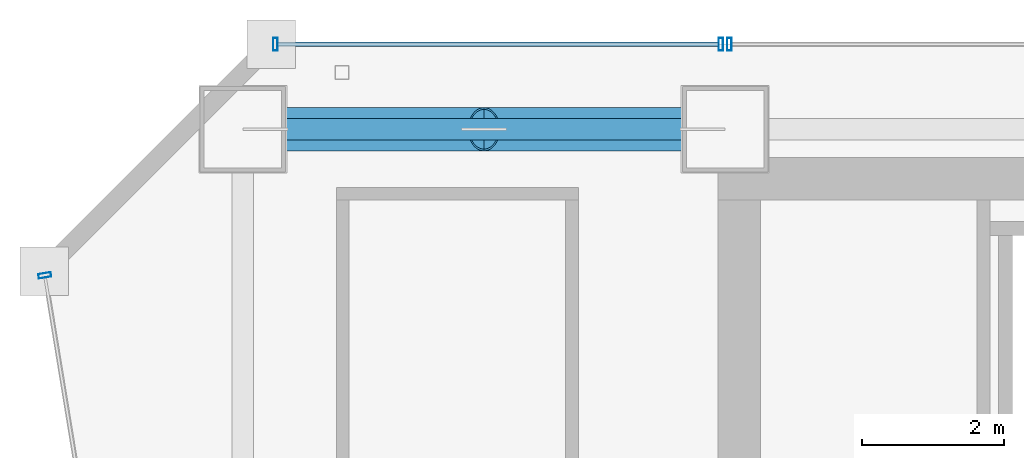
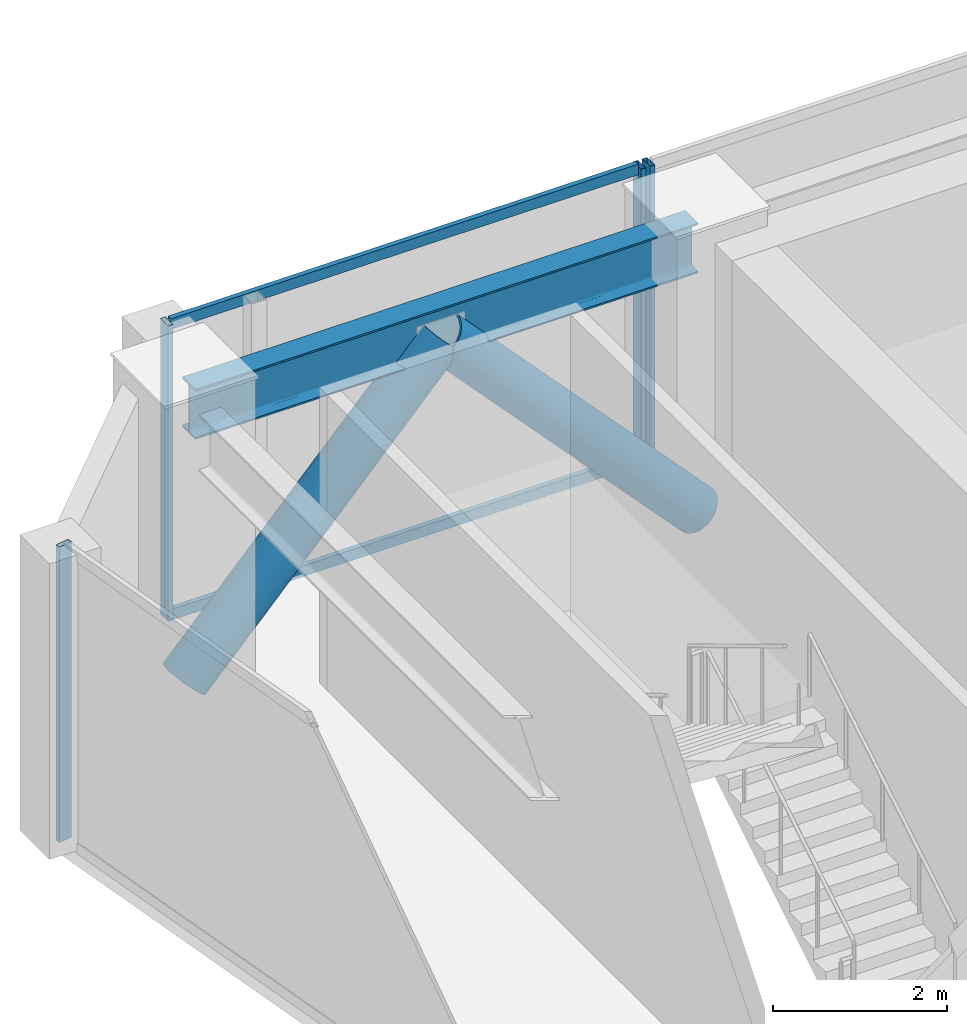
# One storey, part 26 of 40: 8 members, 1 beam, 3 elements without a shape of their own.
"""IFC4 building model written with IfcOpenShell, lengths in metres."""

from ifc_helpers import new_model, si_unit, direction, frame, origin, origin_2d, place, context, subcontext, project, spatial, hollow_rectangle, hollow_circle, i_section, extrude, material, material_profile, profile_set, type_object, element, aggregate, save


model = new_model("IFC4")

# Units and contexts
model_context = context("Model", 3, precision=1e-05, world=origin(), true_north=direction((0.0, 1.0)))
body_context = subcontext(model_context, "Body", "Model", "MODEL_VIEW")
ifc_project = project(units=[si_unit("LENGTHUNIT", "METRE"), si_unit("AREAUNIT", "SQUARE_METRE"), si_unit("VOLUMEUNIT", "CUBIC_METRE"), si_unit("PLANEANGLEUNIT", "RADIAN"), si_unit("MASSUNIT", "GRAM", prefix="KILO")], contexts=[model_context])

# Site, building, storey
site_placement = place(None, origin())
site = spatial("IfcSite", under=ifc_project, at=site_placement, CompositionType="ELEMENT")
building_placement = place(site_placement, origin())
building = spatial("IfcBuilding", under=site, at=building_placement, Name="Saevonmaru Cultural Tower", CompositionType="ELEMENT")
storey_placement = place(building_placement, frame((0.0, 0.0, 97.199951171875)))
storey = spatial("IfcBuildingStorey", under=building, at=storey_placement, Name="L20", CompositionType="ELEMENT", Elevation=97.199951171875)

# Beam
ifc_material_1 = material(Name="Steel SM355", Category="steel")
ifc_material_profile_1 = material_profile(ifc_material_1, i_section(OverallWidth=0.300048828125, OverallDepth=0.699951171875, WebThickness=0.012939453125, FlangeThickness=0.02392578125, FilletRadius=0.02587890625, at=origin_2d()), Name="H-700x300x13x24")
ifc_profile_set_1 = profile_set([ifc_material_profile_1], Name="Steel SM355")
beam_type = type_object("IfcBeamType", Name="BM-SP-H700", PredefinedType="SPANDREL", material=ifc_profile_set_1)
beam_placement = place(storey_placement, frame((6.860107421875, 54.800048828125, 3.800048828125), z_axis=(1.0, 0.0, 0.0), x_axis=(0.0, 1.0, 0.0)))
element("IfcBeam", 1, at=beam_placement, inside=storey, type_object=beam_type, Name="L20 North Spine Girder 1", PredefinedType="SPANDREL", context=body_context, shape_type="SweptSolid", body=[
    extrude(i_section(OverallWidth=0.300048828125, OverallDepth=0.699951171875, WebThickness=0.012939453125, FlangeThickness=0.02392578125, FilletRadius=0.02587890625, at=origin_2d()), origin(), (0.0, 0.0, 1.0), 6.679931640625),
])

# Members
ifc_material_2 = material(Name="Steel HSA600 (600 MPa)", Category="steel")
ifc_material_profile_2 = material_profile(ifc_material_2, hollow_circle(Radius=0.3046875, WallThickness=0.02490234375, at=origin_2d()), Name="CHS-609.6x25")
ifc_profile_set_2 = profile_set([ifc_material_profile_2], Name="Steel HSA600 (600 MPa)")
member_type_1 = type_object("IfcMemberType", Name="MB-PBR-CHS610", PredefinedType="BRACE", material=ifc_profile_set_2)
member_1_placement = place(storey_placement, frame((6.800048828125, 54.800048828125, 0.02001953125), z_axis=(0.681578526789, 0.0, 0.731744977311), x_axis=(0.0, 1.0, 0.0)))
element("IfcMember", 2, at=member_1_placement, inside=storey, type_object=member_type_1, Name="L20 Perimeter Braced-Tube Diagonal WN1", PredefinedType="BRACE", context=body_context, shape_type="SweptSolid", body=[
    extrude(hollow_circle(Radius=0.3046875, WallThickness=0.02490234375, at=origin_2d()), origin(), (0.0, 0.0, 1.0), 4.98828125),
])
member_2_placement = place(storey_placement, frame((13.60009765625, 54.800048828125, 0.02001953125), z_axis=(-0.681604731977, 0.0, 0.731720567803), x_axis=(0.0, -1.0, 0.0)))
element("IfcMember", 3, at=member_2_placement, inside=storey, type_object=member_type_1, Name="L20 Perimeter Braced-Tube Diagonal WN2", PredefinedType="BRACE", context=body_context, shape_type="SweptSolid", body=[
    extrude(hollow_circle(Radius=0.3046875, WallThickness=0.02490234375, at=origin_2d()), origin(), (0.0, 0.0, 1.0), 4.988525390625),
])

# Curtain wall, member
ifc_material_3 = material(Name="Satin Bronze Anodised Aluminium", Category="aluminium")
curtain_wall_type = type_object("IfcCurtainWallType", Name="CW-TYP-A", PredefinedType="NOTDEFINED", material=ifc_material_3)
curtain_wall_1_placement = place(storey_placement, origin())
curtain_wall_1 = element("IfcCurtainWall", 4, at=curtain_wall_1_placement, inside=storey, type_object=curtain_wall_type, Name="L20 North Spine Unitised Curtain Wall E10B", PredefinedType="NOTDEFINED")
ifc_material_profile_3 = material_profile(ifc_material_3, hollow_rectangle(XDim=0.06494140625, YDim=0.179931640625, WallThickness=0.00390625, at=origin_2d()), Name="ALU-MULL-180x65x4")
ifc_profile_set_3 = profile_set([ifc_material_profile_3], Name="Satin Bronze Anodised Aluminium")
member_type_2 = type_object("IfcMemberType", Name="ML-CW-180x65", PredefinedType="MULLION", material=ifc_profile_set_3)
member_3_placement = place(storey_placement, frame((13.659912109375, 56.0, 0.0), z_axis=(0.0, 0.0, 1.0), x_axis=(-1.0, 0.0, 0.0)))
member_3 = element("IfcMember", 5, at=member_3_placement, type_object=member_type_2, Name="CW-TW-L20-E10B mullion 4", PredefinedType="MULLION", context=body_context, shape_type="SweptSolid", body=[
    extrude(hollow_rectangle(XDim=0.06494140625, YDim=0.179931640625, WallThickness=0.00390625, at=origin_2d()), origin(), (0.0, 0.0, 1.0), 4.150146484375),
])
aggregate(curtain_wall_1, [member_3])

# Curtain wall, members
curtain_wall_2_placement = place(storey_placement, origin())
curtain_wall_2 = element("IfcCurtainWall", 6, at=curtain_wall_2_placement, inside=storey, type_object=curtain_wall_type, Name="L20 West Braced Bay Spandrel Curtain Wall E10C", PredefinedType="NOTDEFINED")
member_4_placement = place(storey_placement, frame((13.5400390625, 56.0, 0.0), z_axis=(0.0, 0.0, 1.0), x_axis=(-1.0, 0.0, 0.0)))
member_4 = element("IfcMember", 7, at=member_4_placement, type_object=member_type_2, Name="CW-TW-L20-E10C mullion 1", PredefinedType="MULLION", context=body_context, shape_type="SweptSolid", body=[
    extrude(hollow_rectangle(XDim=0.06494140625, YDim=0.179931640625, WallThickness=0.00390625, at=origin_2d()), origin(), (0.0, 0.0, 1.0), 4.150146484375),
])
member_5_placement = place(storey_placement, frame((7.260009765625, 56.0, 0.0), z_axis=(0.0, 0.0, 1.0), x_axis=(-1.0, 0.0, 0.0)))
member_5 = element("IfcMember", 8, at=member_5_placement, type_object=member_type_2, Name="CW-TW-L20-E10C mullion 2", PredefinedType="MULLION", context=body_context, shape_type="SweptSolid", body=[
    extrude(hollow_rectangle(XDim=0.06494140625, YDim=0.179931640625, WallThickness=0.00390625, at=origin_2d()), origin(), (0.0, 0.0, 1.0), 4.150146484375),
])

# Curtain wall, member
curtain_wall_3_placement = place(storey_placement, origin())
curtain_wall_3 = element("IfcCurtainWall", 9, at=curtain_wall_3_placement, inside=storey, type_object=curtain_wall_type, Name="L20 Unitised Curtain Wall E12", PredefinedType="NOTDEFINED")
member_6_placement = place(storey_placement, frame((4.009765625, 52.74072265625, 0.0), z_axis=(0.0, 0.0, 1.0), x_axis=(0.161708868641, -0.986838508472, 0.0)))
member_6 = element("IfcMember", 10, at=member_6_placement, type_object=member_type_2, Name="CW-TW-L20-E12 mullion 1", PredefinedType="MULLION", context=body_context, shape_type="SweptSolid", body=[
    extrude(hollow_rectangle(XDim=0.06494140625, YDim=0.179931640625, WallThickness=0.00390625, at=origin_2d()), origin(), (0.0, 0.0, 1.0), 4.150146484375),
])
aggregate(curtain_wall_3, [member_6])

# Member
ifc_material_profile_4 = material_profile(ifc_material_3, hollow_rectangle(XDim=0.06494140625, YDim=0.14990234375, WallThickness=0.00390625, at=origin_2d()), Name="ALU-TRAN-150x65x4")
ifc_profile_set_4 = profile_set([ifc_material_profile_4], Name="Satin Bronze Anodised Aluminium")
member_type_3 = type_object("IfcMemberType", Name="TR-CW-150x65", PredefinedType="USERDEFINED", material=ifc_profile_set_4)
member_7_placement = place(storey_placement, frame((13.507568359375, 56.0, 0.032470703125), z_axis=(-1.0, 0.0, 0.0), x_axis=(0.0, -1.0, 0.0)))
member_7 = element("IfcMember", 11, at=member_7_placement, type_object=member_type_3, Name="CW-TW-L20-E10C transom 1.1", ObjectType="TRANSOM", PredefinedType="USERDEFINED", context=body_context, shape_type="SweptSolid", body=[
    extrude(hollow_rectangle(XDim=0.06494140625, YDim=0.14990234375, WallThickness=0.00390625, at=origin_2d()), origin(), (0.0, 0.0, 1.0), 6.215087890625),
])

member_8_placement = place(storey_placement, frame((13.507568359375, 56.0, 4.117431640625), z_axis=(-1.0, 0.0, 0.0), x_axis=(0.0, -1.0, 0.0)))
member_8 = element("IfcMember", 12, at=member_8_placement, type_object=member_type_3, Name="CW-TW-L20-E10C transom 1.2", ObjectType="TRANSOM", PredefinedType="USERDEFINED", context=body_context, shape_type="SweptSolid", body=[
    extrude(hollow_rectangle(XDim=0.06494140625, YDim=0.14990234375, WallThickness=0.00390625, at=origin_2d()), origin(), (0.0, 0.0, 1.0), 6.215087890625),
])

aggregate(curtain_wall_2, [member_4, member_5, member_7, member_8])

save(model, "model.ifc")
